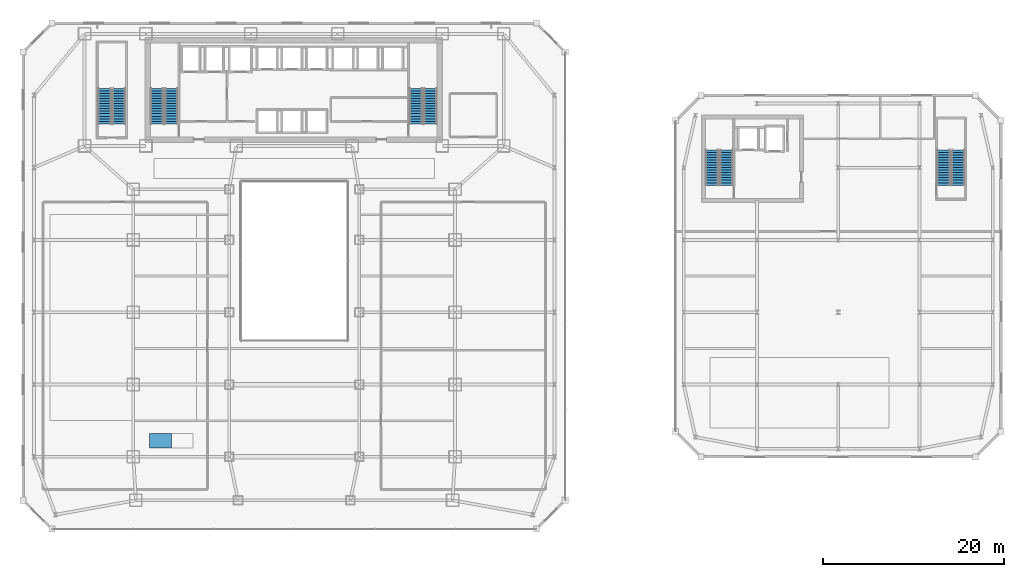
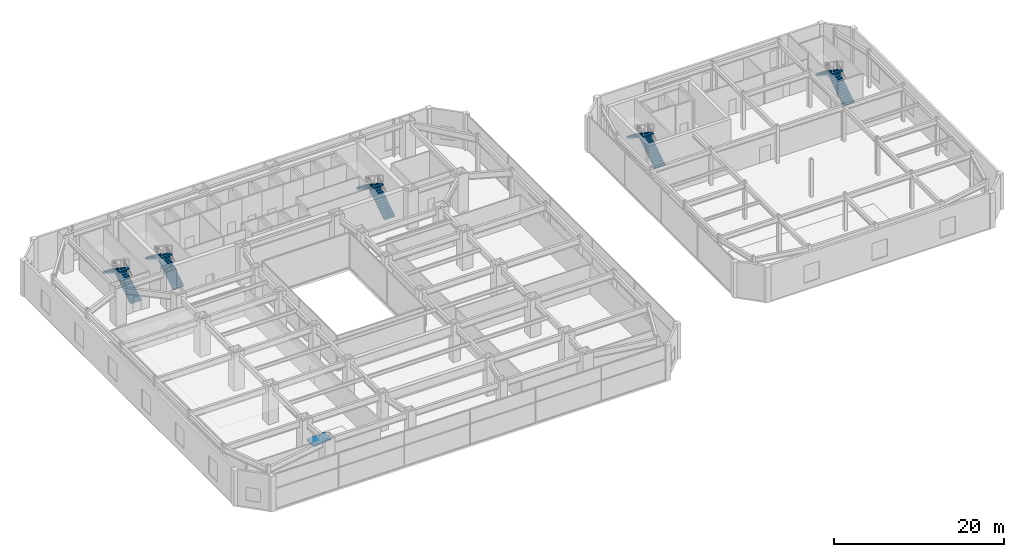
# One storey, part 43 of 51: 10 stair flights, 1 ramp flight, 6 elements without a shape of their own.
"""IFC4 building model written with IfcOpenShell, lengths in metres."""

from ifc_helpers import new_model, si_unit, direction, frame, origin, place, context, subcontext, project, spatial, polyline, outline, extrude, material, layer, layer_set, type_object, element, aggregate, save


model = new_model("IFC4")

# Units and contexts
model_context = context("Model", 3, precision=1e-05, world=origin(), true_north=direction((0.0, 1.0)))
body_context = subcontext(model_context, "Body", "Model", "MODEL_VIEW")
ifc_project = project(units=[si_unit("LENGTHUNIT", "METRE"), si_unit("AREAUNIT", "SQUARE_METRE"), si_unit("VOLUMEUNIT", "CUBIC_METRE"), si_unit("PLANEANGLEUNIT", "RADIAN"), si_unit("MASSUNIT", "GRAM", prefix="KILO")], contexts=[model_context])

# Site, building, storey
site_placement = place(None, origin())
site = spatial("IfcSite", under=ifc_project, at=site_placement, CompositionType="ELEMENT")
building_placement = place(site_placement, origin())
building = spatial("IfcBuilding", under=site, at=building_placement, Name="Saevonmaru Cultural Tower", CompositionType="ELEMENT")
storey_placement = place(building_placement, frame((0.0, 0.0, 6.0)))
storey = spatial("IfcBuildingStorey", under=building, at=storey_placement, Name="L01", CompositionType="ELEMENT", Elevation=6.0)

# Stair, stair flights
ifc_material_1 = material(Name="Concrete C40/50", Category="concrete")
stair_type = type_object("IfcStairType", Name="STR-DOGLEG-RC", PredefinedType="HALF_TURN_STAIR", material=ifc_material_1)
stair_1_placement = place(storey_placement, origin())
stair_1 = element("IfcStair", 1, at=stair_1_placement, inside=storey, type_object=stair_type, Name="L01 Protected exit stair LST-1", PredefinedType="HALF_TURN_STAIR")
ifc_material_2 = material(Name="Precast concrete C40/50", Category="concrete")
stair_flight_type = type_object("IfcStairFlightType", Name="STF-PRECAST-180", PredefinedType="STRAIGHT", material=ifc_material_2)
stair_flight_1_placement = place(storey_placement, frame((77.824951171875, 38.050048828125, 0.0), z_axis=(0.0, 0.0, 1.0), x_axis=(0.0, 1.0, 0.0)))
stair_flight_1 = element("IfcStairFlight", 2, at=stair_flight_1_placement, type_object=stair_flight_type, Name="LST-1-L01 flight 1", NumberOfRisers=15, NumberOfTreads=14, PredefinedType="STRAIGHT", RiserHeight=0.18, TreadLength=0.28, context=body_context, shape_type="SweptSolid", body=[
    extrude(outline(polyline([(0.0, 0.0), (0.0, 0.179931640625), (0.280029296875, 0.179931640625), (0.280029296875, 0.360107421875), (0.56005859375, 0.360107421875), (0.56005859375, 0.5400390625), (0.840087890625, 0.5400390625), (0.840087890625, 0.719970703125), (1.1201171875, 0.719970703125), (1.1201171875, 0.89990234375), (1.39990234375, 0.89990234375), (1.39990234375, 1.080078125), (1.679931640625, 1.080078125), (1.679931640625, 1.260009765625), (1.9599609375, 1.260009765625), (1.9599609375, 1.43994140625), (2.239990234375, 1.43994140625), (2.239990234375, 1.6201171875), (2.52001953125, 1.6201171875), (2.52001953125, 1.800048828125), (2.800048828125, 1.800048828125), (2.800048828125, 1.97998046875), (3.080078125, 1.97998046875), (3.080078125, 2.159912109375), (3.360107421875, 2.159912109375), (3.360107421875, 2.340087890625), (3.639892578125, 2.340087890625), (3.639892578125, 2.52001953125), (3.919921875, 2.52001953125), (3.919921875, 2.699951171875), (3.919921875, 2.341796875), (0.277099609375, 0.0), (0.0, 0.0)])), frame((0.0, 0.72509765625, 0.0), z_axis=(0.0, -1.0, 0.0), x_axis=(1.0, 0.0, 0.0)), (0.0, 0.0, 1.0), 1.449951171875),
])
stair_flight_2_placement = place(storey_placement, frame((76.22509765625, 41.969970703125, 2.699951171875), z_axis=(0.0, 0.0, 1.0), x_axis=(0.0, -1.0, 0.0)))
stair_flight_2 = element("IfcStairFlight", 3, at=stair_flight_2_placement, type_object=stair_flight_type, Name="LST-1-L01 flight 2", NumberOfRisers=15, NumberOfTreads=14, PredefinedType="STRAIGHT", RiserHeight=0.18, TreadLength=0.28, context=body_context, shape_type="SweptSolid", body=[
    extrude(outline(polyline([(0.0, 0.0), (0.0, 0.179931640625), (0.280029296875, 0.179931640625), (0.280029296875, 0.360107421875), (0.56005859375, 0.360107421875), (0.56005859375, 0.5400390625), (0.840087890625, 0.5400390625), (0.840087890625, 0.719970703125), (1.1201171875, 0.719970703125), (1.1201171875, 0.89990234375), (1.39990234375, 0.89990234375), (1.39990234375, 1.080078125), (1.679931640625, 1.080078125), (1.679931640625, 1.260009765625), (1.9599609375, 1.260009765625), (1.9599609375, 1.43994140625), (2.239990234375, 1.43994140625), (2.239990234375, 1.6201171875), (2.52001953125, 1.6201171875), (2.52001953125, 1.800048828125), (2.800048828125, 1.800048828125), (2.800048828125, 1.97998046875), (3.080078125, 1.97998046875), (3.080078125, 2.159912109375), (3.360107421875, 2.159912109375), (3.360107421875, 2.340087890625), (3.639892578125, 2.340087890625), (3.639892578125, 2.52001953125), (3.919921875, 2.52001953125), (3.919921875, 2.699951171875), (3.919921875, 2.341796875), (0.277099609375, 0.0), (0.0, 0.0)])), frame((0.0, 0.72509765625, 0.0), z_axis=(0.0, -1.0, 0.0), x_axis=(1.0, 0.0, 0.0)), (0.0, 0.0, 1.0), 1.449951171875),
])
aggregate(stair_1, [stair_flight_1, stair_flight_2])

stair_2_placement = place(storey_placement, origin())
stair_2 = element("IfcStair", 4, at=stair_2_placement, inside=storey, type_object=stair_type, Name="L01 Protected exit stair LST-2", PredefinedType="HALF_TURN_STAIR")
stair_flight_3_placement = place(storey_placement, frame((103.47509765625, 38.050048828125, 0.0), z_axis=(0.0, 0.0, 1.0), x_axis=(0.0, 1.0, 0.0)))
stair_flight_3 = element("IfcStairFlight", 5, at=stair_flight_3_placement, type_object=stair_flight_type, Name="LST-2-L01 flight 1", NumberOfRisers=15, NumberOfTreads=14, PredefinedType="STRAIGHT", RiserHeight=0.18, TreadLength=0.28, context=body_context, shape_type="SweptSolid", body=[
    extrude(outline(polyline([(0.0, 0.0), (0.0, 0.179931640625), (0.280029296875, 0.179931640625), (0.280029296875, 0.360107421875), (0.56005859375, 0.360107421875), (0.56005859375, 0.5400390625), (0.840087890625, 0.5400390625), (0.840087890625, 0.719970703125), (1.1201171875, 0.719970703125), (1.1201171875, 0.89990234375), (1.39990234375, 0.89990234375), (1.39990234375, 1.080078125), (1.679931640625, 1.080078125), (1.679931640625, 1.260009765625), (1.9599609375, 1.260009765625), (1.9599609375, 1.43994140625), (2.239990234375, 1.43994140625), (2.239990234375, 1.6201171875), (2.52001953125, 1.6201171875), (2.52001953125, 1.800048828125), (2.800048828125, 1.800048828125), (2.800048828125, 1.97998046875), (3.080078125, 1.97998046875), (3.080078125, 2.159912109375), (3.360107421875, 2.159912109375), (3.360107421875, 2.340087890625), (3.639892578125, 2.340087890625), (3.639892578125, 2.52001953125), (3.919921875, 2.52001953125), (3.919921875, 2.699951171875), (3.919921875, 2.341796875), (0.277099609375, 0.0), (0.0, 0.0)])), frame((0.0, 0.72509765625, 0.0), z_axis=(0.0, -1.0, 0.0), x_axis=(1.0, 0.0, 0.0)), (0.0, 0.0, 1.0), 1.449951171875),
])
stair_flight_4_placement = place(storey_placement, frame((101.875, 41.969970703125, 2.699951171875), z_axis=(0.0, 0.0, 1.0), x_axis=(0.0, -1.0, 0.0)))
stair_flight_4 = element("IfcStairFlight", 6, at=stair_flight_4_placement, type_object=stair_flight_type, Name="LST-2-L01 flight 2", NumberOfRisers=15, NumberOfTreads=14, PredefinedType="STRAIGHT", RiserHeight=0.18, TreadLength=0.28, context=body_context, shape_type="SweptSolid", body=[
    extrude(outline(polyline([(0.0, 0.0), (0.0, 0.179931640625), (0.280029296875, 0.179931640625), (0.280029296875, 0.360107421875), (0.56005859375, 0.360107421875), (0.56005859375, 0.5400390625), (0.840087890625, 0.5400390625), (0.840087890625, 0.719970703125), (1.1201171875, 0.719970703125), (1.1201171875, 0.89990234375), (1.39990234375, 0.89990234375), (1.39990234375, 1.080078125), (1.679931640625, 1.080078125), (1.679931640625, 1.260009765625), (1.9599609375, 1.260009765625), (1.9599609375, 1.43994140625), (2.239990234375, 1.43994140625), (2.239990234375, 1.6201171875), (2.52001953125, 1.6201171875), (2.52001953125, 1.800048828125), (2.800048828125, 1.800048828125), (2.800048828125, 1.97998046875), (3.080078125, 1.97998046875), (3.080078125, 2.159912109375), (3.360107421875, 2.159912109375), (3.360107421875, 2.340087890625), (3.639892578125, 2.340087890625), (3.639892578125, 2.52001953125), (3.919921875, 2.52001953125), (3.919921875, 2.699951171875), (3.919921875, 2.341796875), (0.277099609375, 0.0), (0.0, 0.0)])), frame((0.0, 0.72509765625, 0.0), z_axis=(0.0, -1.0, 0.0), x_axis=(1.0, 0.0, 0.0)), (0.0, 0.0, 1.0), 1.449951171875),
])
aggregate(stair_2, [stair_flight_3, stair_flight_4])

stair_3_placement = place(storey_placement, origin())
stair_3 = element("IfcStair", 7, at=stair_3_placement, inside=storey, type_object=stair_type, Name="L01 Protected exit stair ST-1", PredefinedType="HALF_TURN_STAIR")
stair_flight_5_placement = place(storey_placement, frame((16.425048828125, 44.85009765625, 0.0), z_axis=(0.0, 0.0, 1.0), x_axis=(0.0, 1.0, 0.0)))
stair_flight_5 = element("IfcStairFlight", 8, at=stair_flight_5_placement, type_object=stair_flight_type, Name="ST-1-L01 flight 1", NumberOfRisers=15, NumberOfTreads=14, PredefinedType="STRAIGHT", RiserHeight=0.18, TreadLength=0.28, context=body_context, shape_type="SweptSolid", body=[
    extrude(outline(polyline([(0.0, 0.0), (0.0, 0.179931640625), (0.280029296875, 0.179931640625), (0.280029296875, 0.360107421875), (0.56005859375, 0.360107421875), (0.56005859375, 0.5400390625), (0.840087890625, 0.5400390625), (0.840087890625, 0.719970703125), (1.1201171875, 0.719970703125), (1.1201171875, 0.89990234375), (1.39990234375, 0.89990234375), (1.39990234375, 1.080078125), (1.679931640625, 1.080078125), (1.679931640625, 1.260009765625), (1.9599609375, 1.260009765625), (1.9599609375, 1.43994140625), (2.239990234375, 1.43994140625), (2.239990234375, 1.6201171875), (2.52001953125, 1.6201171875), (2.52001953125, 1.800048828125), (2.800048828125, 1.800048828125), (2.800048828125, 1.97998046875), (3.080078125, 1.97998046875), (3.080078125, 2.159912109375), (3.360107421875, 2.159912109375), (3.360107421875, 2.340087890625), (3.639892578125, 2.340087890625), (3.639892578125, 2.52001953125), (3.919921875, 2.52001953125), (3.919921875, 2.699951171875), (3.919921875, 2.341796875), (0.277099609375, 0.0), (0.0, 0.0)])), frame((0.0, 0.72509765625, 0.0), z_axis=(0.0, -1.0, 0.0), x_axis=(1.0, 0.0, 0.0)), (0.0, 0.0, 1.0), 1.449951171875),
])
stair_flight_6_placement = place(storey_placement, frame((14.824951171875, 48.77001953125, 2.699951171875), z_axis=(0.0, 0.0, 1.0), x_axis=(0.0, -1.0, 0.0)))
stair_flight_6 = element("IfcStairFlight", 9, at=stair_flight_6_placement, type_object=stair_flight_type, Name="ST-1-L01 flight 2", NumberOfRisers=15, NumberOfTreads=14, PredefinedType="STRAIGHT", RiserHeight=0.18, TreadLength=0.28, context=body_context, shape_type="SweptSolid", body=[
    extrude(outline(polyline([(0.0, 0.0), (0.0, 0.179931640625), (0.280029296875, 0.179931640625), (0.280029296875, 0.360107421875), (0.56005859375, 0.360107421875), (0.56005859375, 0.5400390625), (0.840087890625, 0.5400390625), (0.840087890625, 0.719970703125), (1.1201171875, 0.719970703125), (1.1201171875, 0.89990234375), (1.39990234375, 0.89990234375), (1.39990234375, 1.080078125), (1.679931640625, 1.080078125), (1.679931640625, 1.260009765625), (1.9599609375, 1.260009765625), (1.9599609375, 1.43994140625), (2.239990234375, 1.43994140625), (2.239990234375, 1.6201171875), (2.52001953125, 1.6201171875), (2.52001953125, 1.800048828125), (2.800048828125, 1.800048828125), (2.800048828125, 1.97998046875), (3.080078125, 1.97998046875), (3.080078125, 2.159912109375), (3.360107421875, 2.159912109375), (3.360107421875, 2.340087890625), (3.639892578125, 2.340087890625), (3.639892578125, 2.52001953125), (3.919921875, 2.52001953125), (3.919921875, 2.699951171875), (3.919921875, 2.341796875), (0.277099609375, 0.0), (0.0, 0.0)])), frame((0.0, 0.72509765625, 0.0), z_axis=(0.0, -1.0, 0.0), x_axis=(1.0, 0.0, 0.0)), (0.0, 0.0, 1.0), 1.449951171875),
])
aggregate(stair_3, [stair_flight_5, stair_flight_6])

stair_4_placement = place(storey_placement, origin())
stair_4 = element("IfcStair", 10, at=stair_4_placement, inside=storey, type_object=stair_type, Name="L01 Protected exit stair ST-2", PredefinedType="HALF_TURN_STAIR")
stair_flight_7_placement = place(storey_placement, frame((45.074951171875, 44.85009765625, 0.0), z_axis=(0.0, 0.0, 1.0), x_axis=(0.0, 1.0, 0.0)))
stair_flight_7 = element("IfcStairFlight", 11, at=stair_flight_7_placement, type_object=stair_flight_type, Name="ST-2-L01 flight 1", NumberOfRisers=15, NumberOfTreads=14, PredefinedType="STRAIGHT", RiserHeight=0.18, TreadLength=0.28, context=body_context, shape_type="SweptSolid", body=[
    extrude(outline(polyline([(0.0, 0.0), (0.0, 0.179931640625), (0.280029296875, 0.179931640625), (0.280029296875, 0.360107421875), (0.56005859375, 0.360107421875), (0.56005859375, 0.5400390625), (0.840087890625, 0.5400390625), (0.840087890625, 0.719970703125), (1.1201171875, 0.719970703125), (1.1201171875, 0.89990234375), (1.39990234375, 0.89990234375), (1.39990234375, 1.080078125), (1.679931640625, 1.080078125), (1.679931640625, 1.260009765625), (1.9599609375, 1.260009765625), (1.9599609375, 1.43994140625), (2.239990234375, 1.43994140625), (2.239990234375, 1.6201171875), (2.52001953125, 1.6201171875), (2.52001953125, 1.800048828125), (2.800048828125, 1.800048828125), (2.800048828125, 1.97998046875), (3.080078125, 1.97998046875), (3.080078125, 2.159912109375), (3.360107421875, 2.159912109375), (3.360107421875, 2.340087890625), (3.639892578125, 2.340087890625), (3.639892578125, 2.52001953125), (3.919921875, 2.52001953125), (3.919921875, 2.699951171875), (3.919921875, 2.341796875), (0.277099609375, 0.0), (0.0, 0.0)])), frame((0.0, 0.72509765625, 0.0), z_axis=(0.0, -1.0, 0.0), x_axis=(1.0, 0.0, 0.0)), (0.0, 0.0, 1.0), 1.449951171875),
])
stair_flight_8_placement = place(storey_placement, frame((43.47509765625, 48.77001953125, 2.699951171875), z_axis=(0.0, 0.0, 1.0), x_axis=(0.0, -1.0, 0.0)))
stair_flight_8 = element("IfcStairFlight", 12, at=stair_flight_8_placement, type_object=stair_flight_type, Name="ST-2-L01 flight 2", NumberOfRisers=15, NumberOfTreads=14, PredefinedType="STRAIGHT", RiserHeight=0.18, TreadLength=0.28, context=body_context, shape_type="SweptSolid", body=[
    extrude(outline(polyline([(0.0, 0.0), (0.0, 0.179931640625), (0.280029296875, 0.179931640625), (0.280029296875, 0.360107421875), (0.56005859375, 0.360107421875), (0.56005859375, 0.5400390625), (0.840087890625, 0.5400390625), (0.840087890625, 0.719970703125), (1.1201171875, 0.719970703125), (1.1201171875, 0.89990234375), (1.39990234375, 0.89990234375), (1.39990234375, 1.080078125), (1.679931640625, 1.080078125), (1.679931640625, 1.260009765625), (1.9599609375, 1.260009765625), (1.9599609375, 1.43994140625), (2.239990234375, 1.43994140625), (2.239990234375, 1.6201171875), (2.52001953125, 1.6201171875), (2.52001953125, 1.800048828125), (2.800048828125, 1.800048828125), (2.800048828125, 1.97998046875), (3.080078125, 1.97998046875), (3.080078125, 2.159912109375), (3.360107421875, 2.159912109375), (3.360107421875, 2.340087890625), (3.639892578125, 2.340087890625), (3.639892578125, 2.52001953125), (3.919921875, 2.52001953125), (3.919921875, 2.699951171875), (3.919921875, 2.341796875), (0.277099609375, 0.0), (0.0, 0.0)])), frame((0.0, 0.72509765625, 0.0), z_axis=(0.0, -1.0, 0.0), x_axis=(1.0, 0.0, 0.0)), (0.0, 0.0, 1.0), 1.449951171875),
])
aggregate(stair_4, [stair_flight_7, stair_flight_8])

stair_5_placement = place(storey_placement, origin())
stair_5 = element("IfcStair", 13, at=stair_5_placement, inside=storey, type_object=stair_type, Name="L01 Protected exit stair ST-3", PredefinedType="HALF_TURN_STAIR")
stair_flight_9_placement = place(storey_placement, frame((10.625, 44.85009765625, 0.0), z_axis=(0.0, 0.0, 1.0), x_axis=(0.0, 1.0, 0.0)))
stair_flight_9 = element("IfcStairFlight", 14, at=stair_flight_9_placement, type_object=stair_flight_type, Name="ST-3-L01 flight 1", NumberOfRisers=15, NumberOfTreads=14, PredefinedType="STRAIGHT", RiserHeight=0.18, TreadLength=0.28, context=body_context, shape_type="SweptSolid", body=[
    extrude(outline(polyline([(0.0, 0.0), (0.0, 0.179931640625), (0.280029296875, 0.179931640625), (0.280029296875, 0.360107421875), (0.56005859375, 0.360107421875), (0.56005859375, 0.5400390625), (0.840087890625, 0.5400390625), (0.840087890625, 0.719970703125), (1.1201171875, 0.719970703125), (1.1201171875, 0.89990234375), (1.39990234375, 0.89990234375), (1.39990234375, 1.080078125), (1.679931640625, 1.080078125), (1.679931640625, 1.260009765625), (1.9599609375, 1.260009765625), (1.9599609375, 1.43994140625), (2.239990234375, 1.43994140625), (2.239990234375, 1.6201171875), (2.52001953125, 1.6201171875), (2.52001953125, 1.800048828125), (2.800048828125, 1.800048828125), (2.800048828125, 1.97998046875), (3.080078125, 1.97998046875), (3.080078125, 2.159912109375), (3.360107421875, 2.159912109375), (3.360107421875, 2.340087890625), (3.639892578125, 2.340087890625), (3.639892578125, 2.52001953125), (3.919921875, 2.52001953125), (3.919921875, 2.699951171875), (3.919921875, 2.341796875), (0.277099609375, 0.0), (0.0, 0.0)])), frame((0.0, 0.72509765625, 0.0), z_axis=(0.0, -1.0, 0.0), x_axis=(1.0, 0.0, 0.0)), (0.0, 0.0, 1.0), 1.449951171875),
])
stair_flight_10_placement = place(storey_placement, frame((9.02490234375, 48.77001953125, 2.699951171875), z_axis=(0.0, 0.0, 1.0), x_axis=(0.0, -1.0, 0.0)))
stair_flight_10 = element("IfcStairFlight", 15, at=stair_flight_10_placement, type_object=stair_flight_type, Name="ST-3-L01 flight 2", NumberOfRisers=15, NumberOfTreads=14, PredefinedType="STRAIGHT", RiserHeight=0.18, TreadLength=0.28, context=body_context, shape_type="SweptSolid", body=[
    extrude(outline(polyline([(0.0, 0.0), (0.0, 0.179931640625), (0.280029296875, 0.179931640625), (0.280029296875, 0.360107421875), (0.56005859375, 0.360107421875), (0.56005859375, 0.5400390625), (0.840087890625, 0.5400390625), (0.840087890625, 0.719970703125), (1.1201171875, 0.719970703125), (1.1201171875, 0.89990234375), (1.39990234375, 0.89990234375), (1.39990234375, 1.080078125), (1.679931640625, 1.080078125), (1.679931640625, 1.260009765625), (1.9599609375, 1.260009765625), (1.9599609375, 1.43994140625), (2.239990234375, 1.43994140625), (2.239990234375, 1.6201171875), (2.52001953125, 1.6201171875), (2.52001953125, 1.800048828125), (2.800048828125, 1.800048828125), (2.800048828125, 1.97998046875), (3.080078125, 1.97998046875), (3.080078125, 2.159912109375), (3.360107421875, 2.159912109375), (3.360107421875, 2.340087890625), (3.639892578125, 2.340087890625), (3.639892578125, 2.52001953125), (3.919921875, 2.52001953125), (3.919921875, 2.699951171875), (3.919921875, 2.341796875), (0.277099609375, 0.0), (0.0, 0.0)])), frame((0.0, 0.72509765625, 0.0), z_axis=(0.0, -1.0, 0.0), x_axis=(1.0, 0.0, 0.0)), (0.0, 0.0, 1.0), 1.449951171875),
])
aggregate(stair_5, [stair_flight_9, stair_flight_10])

# Ramp, ramp flight
ramp_type = type_object("IfcRampType", Name="RMP-PED-1600", PredefinedType="STRAIGHT_RUN_RAMP", material=ifc_material_1)
ramp_placement = place(storey_placement, origin())
ramp = element("IfcRamp", 16, at=ramp_placement, inside=storey, type_object=ramp_type, Name="L01 Barrier-Free Gallery Dais Ramp PR-1", PredefinedType="STRAIGHT_RUN_RAMP")
ifc_layer = layer(ifc_material_1, 0.199951171875, Name="Concrete C40/50")
ifc_layer_set = layer_set([ifc_layer], Name="Concrete C40/50")
ramp_flight_type = type_object("IfcRampFlightType", Name="RFL-PED-200", PredefinedType="STRAIGHT", material=ifc_layer_set)
ramp_flight_placement = place(storey_placement, frame((14.0, 9.0, 0.0), z_axis=(-0.083028700011, 0.0, 0.996547156423), x_axis=(0.996547156423, 0.0, 0.083028700011)))
ramp_flight = element("IfcRampFlight", 17, at=ramp_flight_placement, type_object=ramp_flight_type, Name="L01 Barrier-Free Gallery Dais Ramp Flight PR-1", PredefinedType="STRAIGHT", context=body_context, shape_type="SweptSolid", body=[
    extrude(outline(polyline([(0.0, 0.0), (2.408217542223071, 0.0), (2.408217542223071, 1.60009765625), (0.0, 1.60009765625), (0.0, 0.0)])), origin(), (0.0, 0.0, -1.0), 0.199951171875),
])
aggregate(ramp, [ramp_flight])

save(model, "model.ifc")
